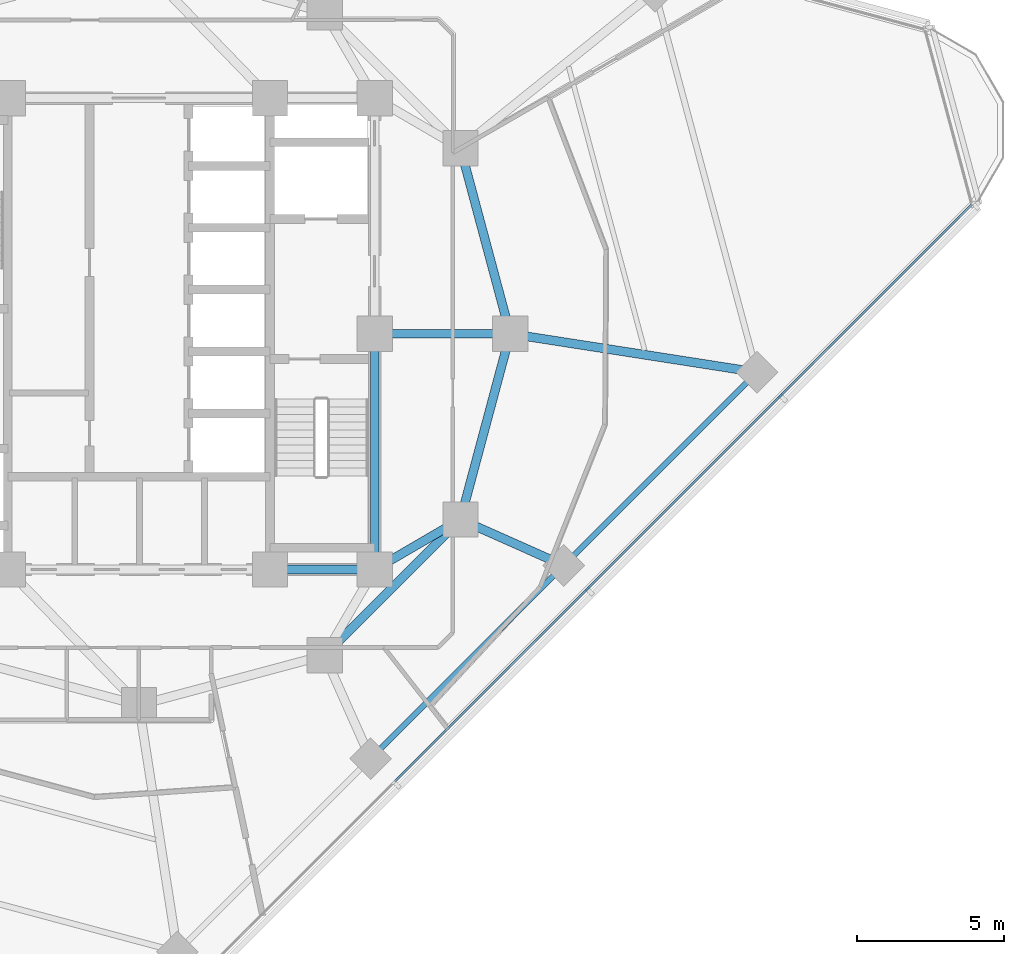
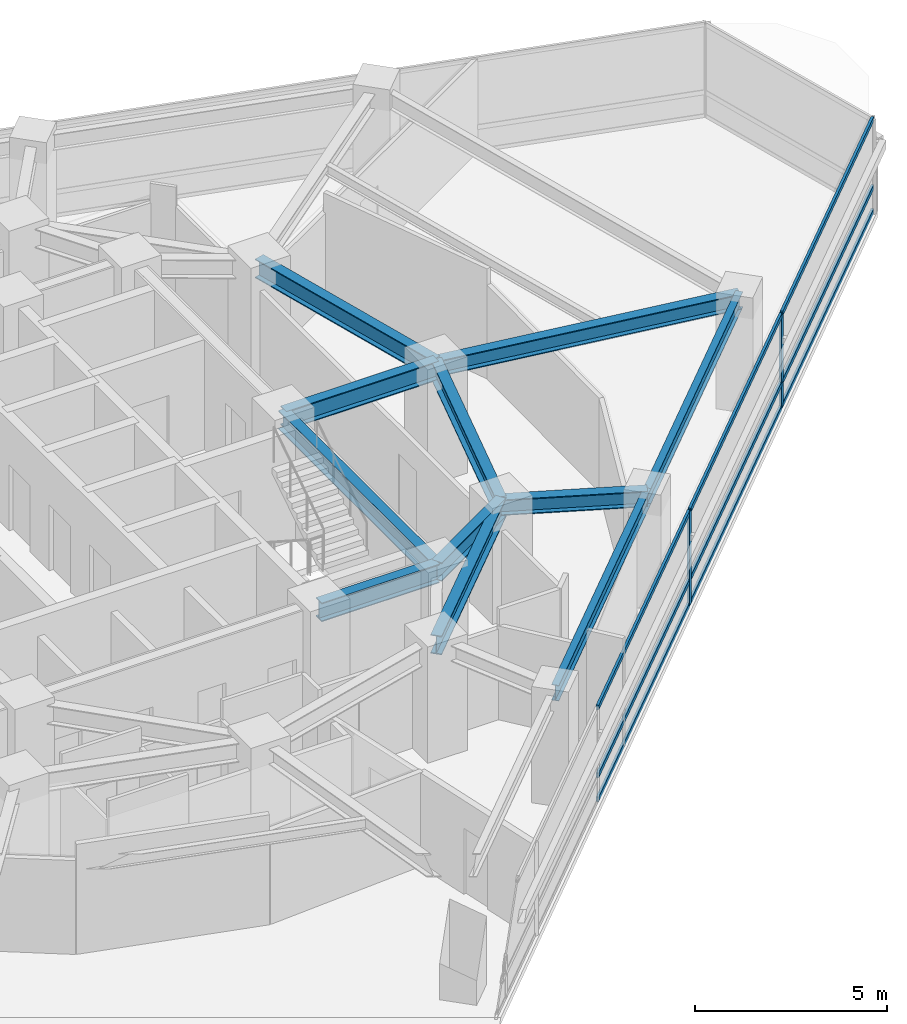
# One storey, part 3 of 14: 11 beams, 11 members, 1 element without a shape of its own.
"""IFC4 building model written with IfcOpenShell, lengths in metres."""

import ifcopenshell
import ifcopenshell.guid

model = None  # the IFC model being written
_history = None  # IfcOwnerHistory: only IFC2X3 demands one
_inside = {}  # id of a spatial element -> (the spatial element, [elements in it])
_under = {}  # id of a project, library or spatial element -> (it, [spatial elements below it])
_declared = {}  # id of a project -> (the project, [libraries it declares])
_typed = {}  # id of a type object -> (the type object, [elements of that type])
_made_of = {}  # id of a material, layer set ... -> (it, [elements and type objects made of it])


def new_model(schema):
    """Start an empty IFC model of exactly this schema.

    Asked for "IFC4X3", IfcOpenShell would pick the latest addendum, in which some entities
    have other attributes; the version numbers below select the first issue.
    IFC2X3 requires an IfcOwnerHistory on every rooted entity: one is made here for all.
    """
    global model, _history
    if schema == "IFC4X3":
        model = ifcopenshell.file(schema_version=(4, 3, 0, 0))
    else:
        model = ifcopenshell.file(schema=schema)
    _inside.clear()
    _under.clear()
    _declared.clear()
    _typed.clear()
    _made_of.clear()
    _history = None
    if model.schema == "IFC2X3":
        org = make("IfcOrganization", Name="unknown")
        user = make(
            "IfcPersonAndOrganization",
            ThePerson=make("IfcPerson", FamilyName="unknown"),
            TheOrganization=org,
        )
        app = make(
            "IfcApplication",
            ApplicationDeveloper=org,
            Version="unknown",
            ApplicationFullName="unknown",
            ApplicationIdentifier="unknown",
        )
        _history = make(
            "IfcOwnerHistory",
            OwningUser=user,
            OwningApplication=app,
            ChangeAction="ADDED",
            CreationDate=0,
        )
    return model


def make(cls, **values):
    """One entity of the class cls with the attributes given. An attribute that is None is left unset."""
    return model.create_entity(
        cls, **{name: value for name, value in values.items() if value is not None}
    )


def rooted(cls, **values):
    """An entity with a GlobalId (a new one), such as an element, a storey or a relation."""
    return make(cls, GlobalId=ifcopenshell.guid.new(), OwnerHistory=_history, **values)


def si_unit(unit_type, name, prefix=None):
    """IfcSIUnit, for example si_unit("LENGTHUNIT", "METRE", prefix="MILLI")."""
    return make("IfcSIUnit", UnitType=unit_type, Prefix=prefix, Name=name)


def assignment(units):
    """IfcUnitAssignment: the units of a project."""
    return None if units is None else make("IfcUnitAssignment", Units=units)


def point(xyz):
    """IfcCartesianPoint."""
    return None if xyz is None else make("IfcCartesianPoint", Coordinates=xyz)


def direction(xyz):
    """IfcDirection."""
    return None if xyz is None else make("IfcDirection", DirectionRatios=xyz)


def frame(location, z_axis=None, x_axis=None):
    """IfcAxis2Placement3D, a coordinate frame: its origin and axes. An axis left out is left unset."""
    return make(
        "IfcAxis2Placement3D",
        Location=point(location),
        Axis=direction(z_axis),
        RefDirection=direction(x_axis),
    )


def frame_2d(location, x_axis=None):
    """IfcAxis2Placement2D, a coordinate frame in the plane: its origin and x axis."""
    return make(
        "IfcAxis2Placement2D", Location=point(location), RefDirection=direction(x_axis)
    )


def origin():
    """The frame at (0, 0, 0) with its axes left unset."""
    return frame((0.0, 0.0, 0.0))


def origin_2d():
    """The frame at (0, 0) in the plane with its x axis left unset."""
    return frame_2d((0.0, 0.0))


def place(relative_to, where):
    """IfcLocalPlacement: puts the frame where relative to a parent placement (None: the world)."""
    return make(
        "IfcLocalPlacement", PlacementRelTo=relative_to, RelativePlacement=where
    )


def context(
    kind, dimensions, precision=None, world=None, true_north=None, identifier=None
):
    """IfcGeometricRepresentationContext, for example the 3D "Model" context."""
    return make(
        "IfcGeometricRepresentationContext",
        ContextIdentifier=identifier,
        ContextType=kind,
        CoordinateSpaceDimension=dimensions,
        Precision=precision,
        WorldCoordinateSystem=world,
        TrueNorth=true_north,
    )


def subcontext(parent, identifier, kind, view, scale=None):
    """IfcGeometricRepresentationSubContext, for example "Body" below "Model"."""
    return make(
        "IfcGeometricRepresentationSubContext",
        ContextIdentifier=identifier,
        ContextType=kind,
        ParentContext=parent,
        TargetScale=scale,
        TargetView=view,
    )


def project(units=None, contexts=None):
    """IfcProject with its units and contexts."""
    return rooted(
        "IfcProject",
        Name="project",
        RepresentationContexts=contexts,
        UnitsInContext=assignment(units),
    )


def spatial(cls, under=None, at=None, **own):
    """A site, building, storey or space (cls), placed at a placement, below another one or the project."""
    s = rooted(cls, ObjectPlacement=at, **own)
    if under is not None:
        _under.setdefault(under.id(), (under, []))[1].append(s)
    return s


def profile(cls, at=None, kind="AREA", **sizes):
    """A parametric profile (cls). Its sizes go by their IFC names, for example OverallWidth=200.0."""
    return make(cls, ProfileType=kind, Position=at, **sizes)


def rectangle(**sizes):
    """IfcRectangleProfileDef."""
    return profile("IfcRectangleProfileDef", **sizes)


def i_section(**sizes):
    """IfcIShapeProfileDef."""
    return profile("IfcIShapeProfileDef", **sizes)


def extrude(swept, where, along, depth):
    """IfcExtrudedAreaSolid: the profile swept, set in the frame where, extruded along a direction by depth."""
    return make(
        "IfcExtrudedAreaSolid",
        SweptArea=swept,
        Position=where,
        ExtrudedDirection=direction(along),
        Depth=depth,
    )


def shape(context_of_items, identifier, shape_type, items):
    """IfcShapeRepresentation: the items that make up one representation, for example the "Body"."""
    return make(
        "IfcShapeRepresentation",
        ContextOfItems=context_of_items,
        RepresentationIdentifier=identifier,
        RepresentationType=shape_type,
        Items=items,
    )


def material(Name=None, Category=None):
    """IfcMaterial."""
    return make("IfcMaterial", Name=Name, Category=Category)


def layer(
    of_material, thickness, ventilated=None, Name=None, Category=None, Priority=None
):
    """IfcMaterialLayer: one layer of a wall or slab, of a material (None: an air gap)."""
    return make(
        "IfcMaterialLayer",
        Material=of_material,
        LayerThickness=thickness,
        IsVentilated=ventilated,
        Name=Name,
        Category=Category,
        Priority=Priority,
    )


def layer_set(layers, Name=None):
    """IfcMaterialLayerSet."""
    return make("IfcMaterialLayerSet", MaterialLayers=layers, LayerSetName=Name)


def material_profile(
    of_material, cross_section, Name=None, Category=None, Priority=None
):
    """IfcMaterialProfile: a cross section and its material."""
    return make(
        "IfcMaterialProfile",
        Name=Name,
        Material=of_material,
        Profile=cross_section,
        Priority=Priority,
        Category=Category,
    )


def profile_set(profiles, Name=None, composite=None):
    """IfcMaterialProfileSet."""
    return make(
        "IfcMaterialProfileSet",
        Name=Name,
        MaterialProfiles=profiles,
        CompositeProfile=composite,
    )


def made_of(thing, what):
    """Note that an element or type object is made of a material, layer set ...; save() writes the relation."""
    if what is not None:
        _made_of.setdefault(what.id(), (what, []))[1].append(thing)
    return thing


def type_object(cls, material=None, **own):
    """A type object (cls), such as IfcWallType, which elements share."""
    return made_of(rooted(cls, **own), material)


def element(
    cls,
    number,
    at=None,
    inside=None,
    cuts=None,
    type_object=None,
    material=None,
    context=None,
    identifier="Body",
    shape_type=None,
    held_by="IfcProductDefinitionShape",
    body=None,
    shapes=None,
    **own,
):
    """One element of the class cls, such as IfcWall. Its Tag is "e" and its number.

    at: its placement. inside: the storey or other place that contains it. cuts: it is an
    opening in that element (IfcRelVoidsElement). A single representation is given by context,
    identifier, shape_type and body (its items); several are given by shapes. held_by: the class
    of the entity that holds the representations. save() writes the other relations.
    """
    e = rooted(cls, Tag="e%d" % number, ObjectPlacement=at, **own)
    if body is not None:
        shapes = [shape(context, identifier, shape_type, body)]
    if shapes is not None:
        e.Representation = make(held_by, Representations=shapes)
    if inside is not None:
        _inside.setdefault(inside.id(), (inside, []))[1].append(e)
    if cuts is not None:
        rooted(
            "IfcRelVoidsElement", RelatingBuildingElement=cuts, RelatedOpeningElement=e
        )
    if type_object is not None:
        _typed.setdefault(type_object.id(), (type_object, []))[1].append(e)
    return made_of(e, material)


def aggregate(whole, parts):
    """IfcRelAggregates: a whole, such as a stair, and the parts it consists of."""
    return rooted("IfcRelAggregates", RelatingObject=whole, RelatedObjects=parts)


def save(model, path):
    """Write the relations noted so far, then the file.

    IfcRelAggregates (storeys below a building ...), IfcRelContainedInSpatialStructure (elements
    in a storey), IfcRelDefinesByType, IfcRelAssociatesMaterial and IfcRelDeclares: one each for
    every whole, place, type object, material and project.
    """
    for whole, parts in _under.values():
        aggregate(whole, parts)
    for where, things in _inside.values():
        rooted(
            "IfcRelContainedInSpatialStructure",
            RelatedElements=things,
            RelatingStructure=where,
        )
    for kind, things in _typed.values():
        rooted("IfcRelDefinesByType", RelatedObjects=things, RelatingType=kind)
    for what, things in _made_of.values():
        rooted("IfcRelAssociatesMaterial", RelatedObjects=things, RelatingMaterial=what)
    for by, libraries in _declared.values():
        rooted("IfcRelDeclares", RelatingContext=by, RelatedDefinitions=libraries)
    model.write(path)


model = new_model("IFC4")

# Units and contexts
model_context = context("Model", 3, precision=1e-05, world=origin(), true_north=direction((0.0, 1.0)))
body_context = subcontext(model_context, "Body", "Model", "MODEL_VIEW")
ifc_project = project(units=[si_unit("LENGTHUNIT", "METRE"), si_unit("AREAUNIT", "SQUARE_METRE"), si_unit("VOLUMEUNIT", "CUBIC_METRE"), si_unit("PLANEANGLEUNIT", "RADIAN"), si_unit("MASSUNIT", "GRAM", prefix="KILO")], contexts=[model_context])

# Site, building, storey
site_placement = place(None, origin())
site = spatial("IfcSite", under=ifc_project, at=site_placement, CompositionType="ELEMENT")
building_placement = place(site_placement, origin())
building = spatial("IfcBuilding", under=site, at=building_placement, Name="Terralouvre Media Tower", CompositionType="ELEMENT")
storey_placement = place(building_placement, frame((0.0, 0.0, 206.39990234375)))
storey = spatial("IfcBuildingStorey", under=building, at=storey_placement, Name="L53", CompositionType="ELEMENT", Elevation=206.39990234375)

# Curtain wall, members
ifc_material_1 = material(Name="Low-iron laminated double glazing with solar-control coating", Category="glass")
ifc_layer = layer(ifc_material_1, 0.1650390625, Name="Production Studio Tower Curtain Wall CW-03")
ifc_layer_set = layer_set([ifc_layer], Name="Low-iron laminated double glazing with solar-control coating")
curtain_wall_type = type_object("IfcCurtainWallType", Name="Production Studio Tower Curtain Wall CW-03", PredefinedType="NOTDEFINED", material=ifc_layer_set)
curtain_wall_placement = place(storey_placement, origin())
curtain_wall = element("IfcCurtainWall", 1, at=curtain_wall_placement, inside=storey, type_object=curtain_wall_type, Name="L53 Facade Curtain Wall F0", PredefinedType="NOTDEFINED")
ifc_material_2 = material(Name="Anodised extruded aluminium 6063-T6", Category="aluminium")
ifc_material_profile_1 = material_profile(ifc_material_2, rectangle(XDim=0.074951171875, YDim=0.14990234375, at=origin_2d()), Name="ALU 75x150")
ifc_profile_set_1 = profile_set([ifc_material_profile_1], Name="Anodised extruded aluminium 6063-T6")
member_type_1 = type_object("IfcMemberType", Name="Curtain-Wall Horizontal Transom TR-150", PredefinedType="USERDEFINED", material=ifc_profile_set_1)
member_1_placement = place(storey_placement, frame((8.6865234375, -15.189697265625, 0.03759765625), z_axis=(0.707106781187, 0.707106781187, 0.0), x_axis=(-0.707106781187, 0.707106781187, 0.0)))
member_1 = element("IfcMember", 2, at=member_1_placement, type_object=member_type_1, Name="CW-03 transom 3.1", ObjectType="TRANSOM", PredefinedType="USERDEFINED", context=body_context, shape_type="SweptSolid", body=[
    extrude(rectangle(XDim=0.074951171875, YDim=0.14990234375, at=origin_2d()), origin(), (0.0, 0.0, 1.0), 9.19677734375),
])
member_2_placement = place(storey_placement, frame((8.6865234375, -15.189697265625, 0.800048828125), z_axis=(0.707106781187, 0.707106781187, 0.0), x_axis=(-0.707106781187, 0.707106781187, 0.0)))
member_2 = element("IfcMember", 3, at=member_2_placement, type_object=member_type_1, Name="CW-03 transom 3.2", ObjectType="TRANSOM", PredefinedType="USERDEFINED", context=body_context, shape_type="SweptSolid", body=[
    extrude(rectangle(XDim=0.074951171875, YDim=0.14990234375, at=origin_2d()), origin(), (0.0, 0.0, 1.0), 9.19677734375),
])
member_3_placement = place(storey_placement, frame((8.6865234375, -15.189697265625, 2.962646484375), z_axis=(0.707106781187, 0.707106781187, 0.0), x_axis=(-0.707106781187, 0.707106781187, 0.0)))
member_3 = element("IfcMember", 4, at=member_3_placement, type_object=member_type_1, Name="CW-03 transom 3.3", ObjectType="TRANSOM", PredefinedType="USERDEFINED", context=body_context, shape_type="SweptSolid", body=[
    extrude(rectangle(XDim=0.074951171875, YDim=0.14990234375, at=origin_2d()), origin(), (0.0, 0.0, 1.0), 9.19677734375),
])
member_4_placement = place(storey_placement, frame((15.24267578125, -8.63330078125, 0.03759765625), z_axis=(0.707120053831, 0.707093508293, 0.0), x_axis=(-0.707093508293, 0.707120053831, 0.0)))
member_4 = element("IfcMember", 5, at=member_4_placement, type_object=member_type_1, Name="CW-03 transom 4.1", ObjectType="TRANSOM", PredefinedType="USERDEFINED", context=body_context, shape_type="SweptSolid", body=[
    extrude(rectangle(XDim=0.074951171875, YDim=0.14990234375, at=origin_2d()), origin(), (0.0, 0.0, 1.0), 9.197021484375),
])
member_5_placement = place(storey_placement, frame((15.24267578125, -8.63330078125, 0.800048828125), z_axis=(0.707120053831, 0.707093508293, 0.0), x_axis=(-0.707093508293, 0.707120053831, 0.0)))
member_5 = element("IfcMember", 6, at=member_5_placement, type_object=member_type_1, Name="CW-03 transom 4.2", ObjectType="TRANSOM", PredefinedType="USERDEFINED", context=body_context, shape_type="SweptSolid", body=[
    extrude(rectangle(XDim=0.074951171875, YDim=0.14990234375, at=origin_2d()), origin(), (0.0, 0.0, 1.0), 9.197021484375),
])
member_6_placement = place(storey_placement, frame((15.24267578125, -8.63330078125, 2.962646484375), z_axis=(0.707120053831, 0.707093508293, 0.0), x_axis=(-0.707093508293, 0.707120053831, 0.0)))
member_6 = element("IfcMember", 7, at=member_6_placement, type_object=member_type_1, Name="CW-03 transom 4.3", ObjectType="TRANSOM", PredefinedType="USERDEFINED", context=body_context, shape_type="SweptSolid", body=[
    extrude(rectangle(XDim=0.074951171875, YDim=0.14990234375, at=origin_2d()), origin(), (0.0, 0.0, 1.0), 9.197021484375),
])
member_7_placement = place(storey_placement, frame((21.799072265625, -2.0771484375, 0.03759765625), z_axis=(0.707106781187, 0.707106781187, 0.0), x_axis=(-0.707106781187, 0.707106781187, 0.0)))
member_7 = element("IfcMember", 8, at=member_7_placement, type_object=member_type_1, Name="CW-03 transom 5.1", ObjectType="TRANSOM", PredefinedType="USERDEFINED", context=body_context, shape_type="SweptSolid", body=[
    extrude(rectangle(XDim=0.074951171875, YDim=0.14990234375, at=origin_2d()), origin(), (0.0, 0.0, 1.0), 9.15966796875),
])
member_8_placement = place(storey_placement, frame((21.799072265625, -2.0771484375, 0.800048828125), z_axis=(0.707106781187, 0.707106781187, 0.0), x_axis=(-0.707106781187, 0.707106781187, 0.0)))
member_8 = element("IfcMember", 9, at=member_8_placement, type_object=member_type_1, Name="CW-03 transom 5.2", ObjectType="TRANSOM", PredefinedType="USERDEFINED", context=body_context, shape_type="SweptSolid", body=[
    extrude(rectangle(XDim=0.074951171875, YDim=0.14990234375, at=origin_2d()), origin(), (0.0, 0.0, 1.0), 9.15966796875),
])
member_9_placement = place(storey_placement, frame((21.799072265625, -2.0771484375, 2.962646484375), z_axis=(0.707106781187, 0.707106781187, 0.0), x_axis=(-0.707106781187, 0.707106781187, 0.0)))
member_9 = element("IfcMember", 10, at=member_9_placement, type_object=member_type_1, Name="CW-03 transom 5.3", ObjectType="TRANSOM", PredefinedType="USERDEFINED", context=body_context, shape_type="SweptSolid", body=[
    extrude(rectangle(XDim=0.074951171875, YDim=0.14990234375, at=origin_2d()), origin(), (0.0, 0.0, 1.0), 9.15966796875),
])
ifc_material_3 = material(Name="Anodised extruded aluminium 6063-T6", Category="aluminium")
ifc_material_profile_2 = material_profile(ifc_material_3, rectangle(XDim=0.074951171875, YDim=0.179931640625, at=origin_2d()), Name="ALU 75x180")
ifc_profile_set_2 = profile_set([ifc_material_profile_2], Name="Anodised extruded aluminium 6063-T6")
member_type_2 = type_object("IfcMemberType", Name="Curtain-Wall Vertical Mullion ML-180", PredefinedType="MULLION", material=ifc_profile_set_2)
member_10_placement = place(storey_placement, frame((15.21630859375, -8.659912109375, 0.0), z_axis=(0.0, 0.0, 1.0), x_axis=(-0.707106781187, 0.707106781187, 0.0)))
member_10 = element("IfcMember", 11, at=member_10_placement, type_object=member_type_2, Name="CW-03 mullion 4", PredefinedType="MULLION", context=body_context, shape_type="SweptSolid", body=[
    extrude(rectangle(XDim=0.074951171875, YDim=0.179931640625, at=origin_2d()), origin(), (0.0, 0.0, 1.0), 3.0),
])
member_11_placement = place(storey_placement, frame((21.7724609375, -2.103515625, 0.0), z_axis=(0.0, 0.0, 1.0), x_axis=(-0.707106781187, 0.707106781187, 0.0)))
member_11 = element("IfcMember", 12, at=member_11_placement, type_object=member_type_2, Name="CW-03 mullion 5", PredefinedType="MULLION", context=body_context, shape_type="SweptSolid", body=[
    extrude(rectangle(XDim=0.074951171875, YDim=0.179931640625, at=origin_2d()), origin(), (0.0, 0.0, 1.0), 3.0),
])
aggregate(curtain_wall, [member_10, member_11, member_1, member_2, member_3, member_4, member_5, member_6, member_7, member_8, member_9])

# Beams
ifc_material_4 = material(Name="Structural steel S355J2", Category="steel")
ifc_material_profile_3 = material_profile(ifc_material_4, i_section(OverallWidth=0.199951171875, OverallDepth=0.5, WebThickness=0.01025390625, FlangeThickness=0.01611328125, at=origin_2d()), Name="IPE 500")
ifc_profile_set_3 = profile_set([ifc_material_profile_3], Name="Structural steel S355J2")
beam_type_1 = type_object("IfcBeamType", Name="Perimeter Spandrel Beam SPB-500 (IPE 500)", PredefinedType="SPANDREL", material=ifc_profile_set_3)
beam_1_placement = place(storey_placement, frame((7.86083984375, -14.417236328125, 3.25), z_axis=(0.707106781187, 0.707106781187, 0.0), x_axis=(-0.707106781187, 0.707106781187, 0.0)))
element("IfcBeam", 13, at=beam_1_placement, inside=storey, type_object=beam_type_1, Name="L53 Framing Beam BM-L53-PR04", PredefinedType="SPANDREL", context=body_context, shape_type="SweptSolid", body=[
    extrude(i_section(OverallWidth=0.199951171875, OverallDepth=0.5, WebThickness=0.01025390625, FlangeThickness=0.01611328125, at=origin_2d()), origin(), (0.0, 0.0, 1.0), 9.272216796875),
])
beam_2_placement = place(storey_placement, frame((14.417236328125, -7.86083984375, 3.25), z_axis=(0.707106781187, 0.707106781187, 0.0), x_axis=(-0.707106781187, 0.707106781187, 0.0)))
element("IfcBeam", 14, at=beam_2_placement, inside=storey, type_object=beam_type_1, Name="L53 Framing Beam BM-L53-PR05", PredefinedType="SPANDREL", context=body_context, shape_type="SweptSolid", body=[
    extrude(i_section(OverallWidth=0.199951171875, OverallDepth=0.5, WebThickness=0.01025390625, FlangeThickness=0.01611328125, at=origin_2d()), origin(), (0.0, 0.0, 1.0), 9.271728515625),
])
ifc_material_5 = material(Name="Structural steel S355J2", Category="steel")
ifc_material_profile_4 = material_profile(ifc_material_5, i_section(OverallWidth=0.300048828125, OverallDepth=0.5, WebThickness=0.014404296875, FlangeThickness=0.028076171875, at=origin_2d()), Name="HEB 500")
ifc_profile_set_4 = profile_set([ifc_material_profile_4], Name="Structural steel S355J2")
beam_type_2 = type_object("IfcBeamType", Name="Primary Floor Girder B-HEB500 (HEB 500)", PredefinedType="BEAM", material=ifc_profile_set_4)
beam_3_placement = place(storey_placement, frame((10.911865234375, -6.300048828125, 3.25), z_axis=(0.913535846257, -0.406758229915, 0.0), x_axis=(0.406758229915, 0.913535846257, 0.0)))
element("IfcBeam", 15, at=beam_3_placement, inside=storey, type_object=beam_type_2, Name="L53 Framing Beam BM-L53-RD05", PredefinedType="BEAM", context=body_context, shape_type="SweptSolid", body=[
    extrude(i_section(OverallWidth=0.300048828125, OverallDepth=0.5, WebThickness=0.014404296875, FlangeThickness=0.028076171875, at=origin_2d()), origin(), (0.0, 0.0, 1.0), 3.837158203125),
])
beam_4_placement = place(storey_placement, frame((12.60009765625, 0.0, 3.25), z_axis=(0.988077445791, -0.153957660154, 0.0), x_axis=(0.153957660154, 0.988077445791, 0.0)))
element("IfcBeam", 16, at=beam_4_placement, inside=storey, type_object=beam_type_2, Name="L53 Framing Beam BM-L53-RD06", PredefinedType="BEAM", context=body_context, shape_type="SweptSolid", body=[
    extrude(i_section(OverallWidth=0.300048828125, OverallDepth=0.5, WebThickness=0.014404296875, FlangeThickness=0.028076171875, at=origin_2d()), origin(), (0.0, 0.0, 1.0), 8.474365234375),
])
ifc_material_6 = material(Name="Structural steel S460M", Category="steel")
ifc_material_profile_5 = material_profile(ifc_material_6, i_section(OverallWidth=0.300048828125, OverallDepth=0.60009765625, WebThickness=0.015380859375, FlangeThickness=0.030029296875, at=origin_2d()), Name="HEB 600")
ifc_profile_set_5 = profile_set([ifc_material_profile_5], Name="Structural steel S460M")
beam_type_3 = type_object("IfcBeamType", Name="Primary Floor Girder B-HEB600 (HEB 600)", PredefinedType="BEAM", material=ifc_profile_set_5)
beam_5_placement = place(storey_placement, frame((4.449951171875, -8.0, 3.2001953125), z_axis=(1.0, 0.0, 0.0), x_axis=(0.0, 1.0, 0.0)))
element("IfcBeam", 17, at=beam_5_placement, inside=storey, type_object=beam_type_3, Name="L53 Framing Beam BM-L53-CPR03", PredefinedType="BEAM", context=body_context, shape_type="SweptSolid", body=[
    extrude(i_section(OverallWidth=0.300048828125, OverallDepth=0.60009765625, WebThickness=0.015380859375, FlangeThickness=0.030029296875, at=origin_2d()), origin(), (0.0, 0.0, 1.0), 3.550048828125),
])
beam_6_placement = place(storey_placement, frame((8.0, -8.0, 3.2001953125), z_axis=(0.0, 1.0, 0.0), x_axis=(-1.0, 0.0, 0.0)))
element("IfcBeam", 18, at=beam_6_placement, inside=storey, type_object=beam_type_3, Name="L53 Framing Beam BM-L53-CPR04", PredefinedType="BEAM", context=body_context, shape_type="SweptSolid", body=[
    extrude(i_section(OverallWidth=0.300048828125, OverallDepth=0.60009765625, WebThickness=0.015380859375, FlangeThickness=0.030029296875, at=origin_2d()), origin(), (0.0, 0.0, 1.0), 8.0),
])
beam_7_placement = place(storey_placement, frame((6.300048828125, -10.911865234375, 3.2001953125), z_axis=(0.707106781187, 0.707106781187, 0.0), x_axis=(-0.707106781187, 0.707106781187, 0.0)))
element("IfcBeam", 19, at=beam_7_placement, inside=storey, type_object=beam_type_3, Name="L53 Framing Beam BM-L53-MR04", PredefinedType="BEAM", context=body_context, shape_type="SweptSolid", body=[
    extrude(i_section(OverallWidth=0.300048828125, OverallDepth=0.60009765625, WebThickness=0.015380859375, FlangeThickness=0.030029296875, at=origin_2d()), origin(), (0.0, 0.0, 1.0), 6.52197265625),
])
for number, where, z_axis, x_axis, name in (
    (20, (10.911865234375, -6.300048828125, 3.2001953125), (0.258838989821, 0.965920481897, 0.0), (-0.965920481897, 0.258838989821, 0.0), "L53 Framing Beam BM-L53-MR05"),
    (21, (12.60009765625, 0.0, 3.2001953125), (-0.258838989821, 0.965920481897, 0.0), (-0.965920481897, -0.258838989821, 0.0), "L53 Framing Beam BM-L53-MR06"),
):
    element("IfcBeam", number, at=place(storey_placement, frame(where, z_axis=z_axis, x_axis=x_axis)), inside=storey, type_object=beam_type_3, Name=name, PredefinedType="BEAM", context=body_context, shape_type="SweptSolid", body=[
        extrude(i_section(OverallWidth=0.300048828125, OverallDepth=0.60009765625, WebThickness=0.015380859375, FlangeThickness=0.030029296875, at=origin_2d()), origin(), (0.0, 0.0, 1.0), 6.522216796875),
    ])
beam_8_placement = place(storey_placement, frame((8.0, -8.0, 3.2001953125), z_axis=(0.863602894532, 0.504172629717, 0.0), x_axis=(-0.504172629717, 0.863602894532, 0.0)))
element("IfcBeam", 22, at=beam_8_placement, inside=storey, type_object=beam_type_3, Name="L53 Framing Beam BM-L53-CM05", PredefinedType="BEAM", context=body_context, shape_type="SweptSolid", body=[
    extrude(i_section(OverallWidth=0.300048828125, OverallDepth=0.60009765625, WebThickness=0.015380859375, FlangeThickness=0.030029296875, at=origin_2d()), origin(), (0.0, 0.0, 1.0), 3.371826171875),
])
beam_9_placement = place(storey_placement, frame((8.0, 0.0, 3.2001953125), z_axis=(1.0, 0.0, 0.0), x_axis=(0.0, 1.0, 0.0)))
element("IfcBeam", 23, at=beam_9_placement, inside=storey, type_object=beam_type_3, Name="L53 Framing Beam BM-L53-CM06", PredefinedType="BEAM", context=body_context, shape_type="SweptSolid", body=[
    extrude(i_section(OverallWidth=0.300048828125, OverallDepth=0.60009765625, WebThickness=0.015380859375, FlangeThickness=0.030029296875, at=origin_2d()), origin(), (0.0, 0.0, 1.0), 4.60009765625),
])

save(model, "model.ifc")
